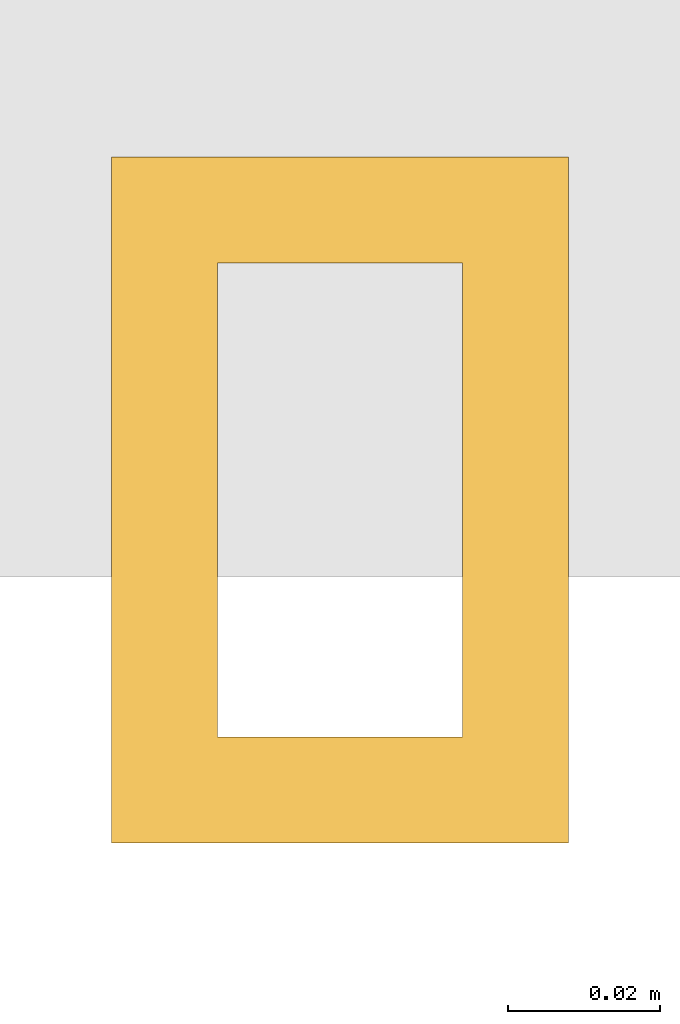
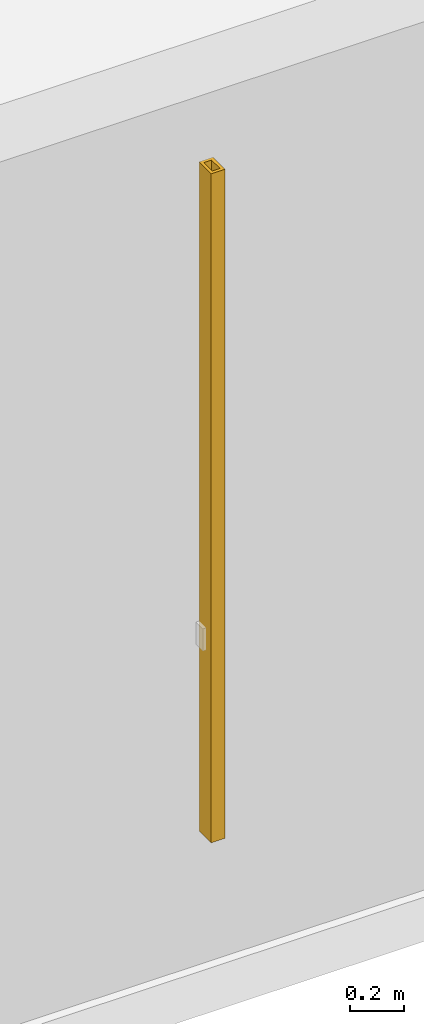
# One storey, part 43 of 51: 1 shading device.
"""IFC4 building model written with IfcOpenShell, lengths in metres."""

from ifc_helpers import new_model, si_unit, direction, frame, origin, origin_2d, place, context, subcontext, project, spatial, hollow_rectangle, extrude, material, material_profile, profile_set, type_object, element, save


model = new_model("IFC4")

# Units and contexts
model_context = context("Model", 3, precision=1e-05, world=origin(), true_north=direction((0.0, 1.0)))
body_context = subcontext(model_context, "Body", "Model", "MODEL_VIEW")
ifc_project = project(units=[si_unit("LENGTHUNIT", "METRE"), si_unit("AREAUNIT", "SQUARE_METRE"), si_unit("VOLUMEUNIT", "CUBIC_METRE"), si_unit("PLANEANGLEUNIT", "RADIAN"), si_unit("MASSUNIT", "GRAM", prefix="KILO")], contexts=[model_context])

# Site, building, storey
site_placement = place(None, origin())
site = spatial("IfcSite", under=ifc_project, at=site_placement, CompositionType="ELEMENT")
building_placement = place(site_placement, origin())
building = spatial("IfcBuilding", under=site, at=building_placement, Name="Punatoya Terracotta Tower", CompositionType="ELEMENT")
storey_placement = place(building_placement, frame((0.0, 0.0, 313.199951171875)))
storey = spatial("IfcBuildingStorey", under=building, at=storey_placement, Name="L74", CompositionType="ELEMENT", Elevation=313.199951171875)

# Shading device
ifc_material = material(Name="Architectural Fired Terracotta", Category="masonry")
ifc_material_profile = material_profile(ifc_material, hollow_rectangle(XDim=0.06005859375, YDim=0.090087890625, WallThickness=0.013916015625, at=origin_2d()))
ifc_profile_set = profile_set([ifc_material_profile], Name="Architectural Fired Terracotta")
shading_device_type = type_object("IfcShadingDeviceType", Name="SHD-JALI-90", PredefinedType="JALOUSIE", material=ifc_profile_set)
shading_device_placement = place(storey_placement, frame((14.468505859375, -18.64990234375, 0.60009765625), z_axis=(0.0, 0.0, 1.0), x_axis=(1.0, 0.0, 0.0)))
element("IfcShadingDevice", 1, at=shading_device_placement, inside=storey, type_object=shading_device_type, Name="L74 Braced Bay Terracotta Jali Fin S2", PredefinedType="JALOUSIE", context=body_context, shape_type="SweptSolid", body=[
    extrude(hollow_rectangle(XDim=0.06005859375, YDim=0.090087890625, WallThickness=0.013916015625, at=origin_2d()), origin(), (0.0, 0.0, 1.0), 3.02001953125),
])

save(model, "model.ifc")
